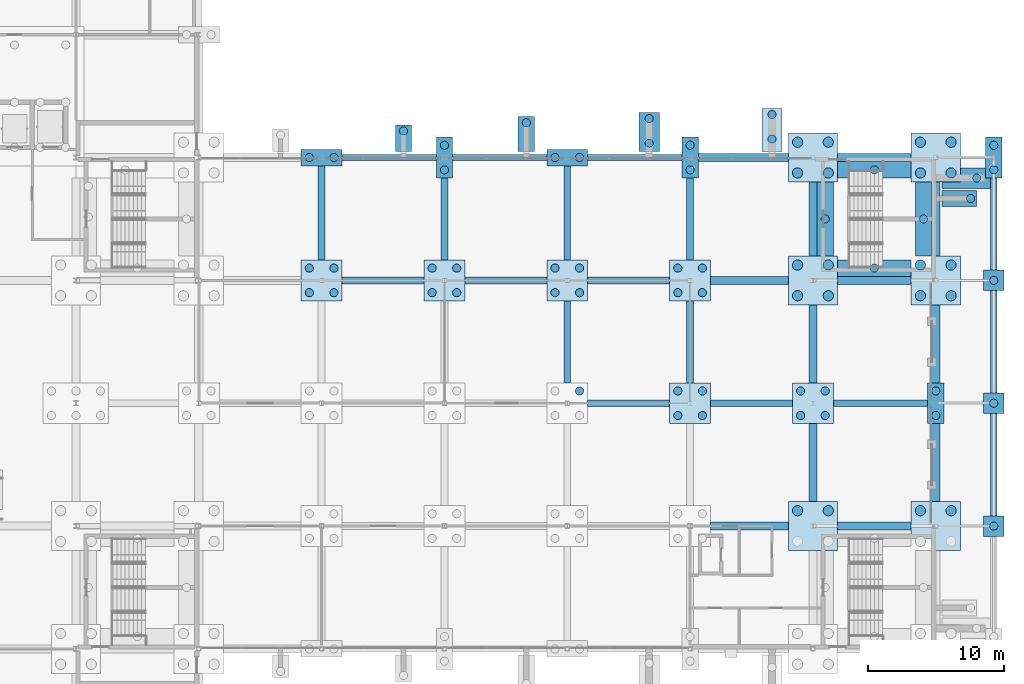
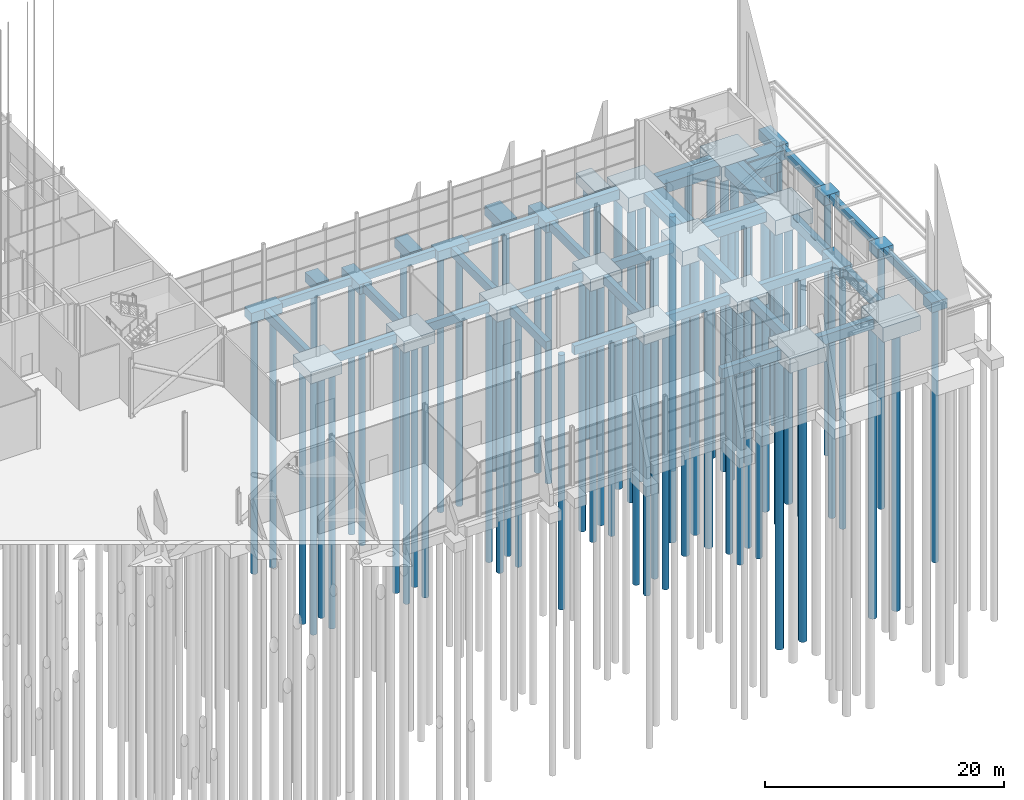
# One storey, part 10 of 139: 72 piles, 61 footings.
"""IFC4 building model written with IfcOpenShell, lengths in metres."""

import ifcopenshell
import ifcopenshell.guid

model = None  # the IFC model being written
_history = None  # IfcOwnerHistory: only IFC2X3 demands one
_inside = {}  # id of a spatial element -> (the spatial element, [elements in it])
_under = {}  # id of a project, library or spatial element -> (it, [spatial elements below it])
_declared = {}  # id of a project -> (the project, [libraries it declares])
_typed = {}  # id of a type object -> (the type object, [elements of that type])
_made_of = {}  # id of a material, layer set ... -> (it, [elements and type objects made of it])


def new_model(schema):
    """Start an empty IFC model of exactly this schema.

    Asked for "IFC4X3", IfcOpenShell would pick the latest addendum, in which some entities
    have other attributes; the version numbers below select the first issue.
    IFC2X3 requires an IfcOwnerHistory on every rooted entity: one is made here for all.
    """
    global model, _history
    if schema == "IFC4X3":
        model = ifcopenshell.file(schema_version=(4, 3, 0, 0))
    else:
        model = ifcopenshell.file(schema=schema)
    _inside.clear()
    _under.clear()
    _declared.clear()
    _typed.clear()
    _made_of.clear()
    _history = None
    if model.schema == "IFC2X3":
        org = make("IfcOrganization", Name="unknown")
        user = make(
            "IfcPersonAndOrganization",
            ThePerson=make("IfcPerson", FamilyName="unknown"),
            TheOrganization=org,
        )
        app = make(
            "IfcApplication",
            ApplicationDeveloper=org,
            Version="unknown",
            ApplicationFullName="unknown",
            ApplicationIdentifier="unknown",
        )
        _history = make(
            "IfcOwnerHistory",
            OwningUser=user,
            OwningApplication=app,
            ChangeAction="ADDED",
            CreationDate=0,
        )
    return model


def make(cls, **values):
    """One entity of the class cls with the attributes given. An attribute that is None is left unset."""
    return model.create_entity(
        cls, **{name: value for name, value in values.items() if value is not None}
    )


def rooted(cls, **values):
    """An entity with a GlobalId (a new one), such as an element, a storey or a relation."""
    return make(cls, GlobalId=ifcopenshell.guid.new(), OwnerHistory=_history, **values)


def si_unit(unit_type, name, prefix=None):
    """IfcSIUnit, for example si_unit("LENGTHUNIT", "METRE", prefix="MILLI")."""
    return make("IfcSIUnit", UnitType=unit_type, Prefix=prefix, Name=name)


def assignment(units):
    """IfcUnitAssignment: the units of a project."""
    return None if units is None else make("IfcUnitAssignment", Units=units)


def point(xyz):
    """IfcCartesianPoint."""
    return None if xyz is None else make("IfcCartesianPoint", Coordinates=xyz)


def direction(xyz):
    """IfcDirection."""
    return None if xyz is None else make("IfcDirection", DirectionRatios=xyz)


def frame(location, z_axis=None, x_axis=None):
    """IfcAxis2Placement3D, a coordinate frame: its origin and axes. An axis left out is left unset."""
    return make(
        "IfcAxis2Placement3D",
        Location=point(location),
        Axis=direction(z_axis),
        RefDirection=direction(x_axis),
    )


def frame_2d(location, x_axis=None):
    """IfcAxis2Placement2D, a coordinate frame in the plane: its origin and x axis."""
    return make(
        "IfcAxis2Placement2D", Location=point(location), RefDirection=direction(x_axis)
    )


def origin():
    """The frame at (0, 0, 0) with its axes left unset."""
    return frame((0.0, 0.0, 0.0))


def origin_2d():
    """The frame at (0, 0) in the plane with its x axis left unset."""
    return frame_2d((0.0, 0.0))


def place(relative_to, where):
    """IfcLocalPlacement: puts the frame where relative to a parent placement (None: the world)."""
    return make(
        "IfcLocalPlacement", PlacementRelTo=relative_to, RelativePlacement=where
    )


def context(
    kind, dimensions, precision=None, world=None, true_north=None, identifier=None
):
    """IfcGeometricRepresentationContext, for example the 3D "Model" context."""
    return make(
        "IfcGeometricRepresentationContext",
        ContextIdentifier=identifier,
        ContextType=kind,
        CoordinateSpaceDimension=dimensions,
        Precision=precision,
        WorldCoordinateSystem=world,
        TrueNorth=true_north,
    )


def subcontext(parent, identifier, kind, view, scale=None):
    """IfcGeometricRepresentationSubContext, for example "Body" below "Model"."""
    return make(
        "IfcGeometricRepresentationSubContext",
        ContextIdentifier=identifier,
        ContextType=kind,
        ParentContext=parent,
        TargetScale=scale,
        TargetView=view,
    )


def project(units=None, contexts=None):
    """IfcProject with its units and contexts."""
    return rooted(
        "IfcProject",
        Name="project",
        RepresentationContexts=contexts,
        UnitsInContext=assignment(units),
    )


def spatial(cls, under=None, at=None, **own):
    """A site, building, storey or space (cls), placed at a placement, below another one or the project."""
    s = rooted(cls, ObjectPlacement=at, **own)
    if under is not None:
        _under.setdefault(under.id(), (under, []))[1].append(s)
    return s


def polyline(points):
    """IfcPolyline through the points."""
    return make("IfcPolyline", Points=[point(p) for p in points])


def profile(cls, at=None, kind="AREA", **sizes):
    """A parametric profile (cls). Its sizes go by their IFC names, for example OverallWidth=200.0."""
    return make(cls, ProfileType=kind, Position=at, **sizes)


def rectangle(**sizes):
    """IfcRectangleProfileDef."""
    return profile("IfcRectangleProfileDef", **sizes)


def circle(**sizes):
    """IfcCircleProfileDef."""
    return profile("IfcCircleProfileDef", **sizes)


def outline(outer, holes=None, kind="AREA"):
    """IfcArbitraryClosedProfileDef: a profile drawn as a closed curve; with holes, ...WithVoids."""
    if holes is None:
        return make("IfcArbitraryClosedProfileDef", ProfileType=kind, OuterCurve=outer)
    return make(
        "IfcArbitraryProfileDefWithVoids",
        ProfileType=kind,
        OuterCurve=outer,
        InnerCurves=holes,
    )


def extrude(swept, where, along, depth):
    """IfcExtrudedAreaSolid: the profile swept, set in the frame where, extruded along a direction by depth."""
    return make(
        "IfcExtrudedAreaSolid",
        SweptArea=swept,
        Position=where,
        ExtrudedDirection=direction(along),
        Depth=depth,
    )


def shape(context_of_items, identifier, shape_type, items):
    """IfcShapeRepresentation: the items that make up one representation, for example the "Body"."""
    return make(
        "IfcShapeRepresentation",
        ContextOfItems=context_of_items,
        RepresentationIdentifier=identifier,
        RepresentationType=shape_type,
        Items=items,
    )


def material(Name=None, Category=None):
    """IfcMaterial."""
    return make("IfcMaterial", Name=Name, Category=Category)


def material_profile(
    of_material, cross_section, Name=None, Category=None, Priority=None
):
    """IfcMaterialProfile: a cross section and its material."""
    return make(
        "IfcMaterialProfile",
        Name=Name,
        Material=of_material,
        Profile=cross_section,
        Priority=Priority,
        Category=Category,
    )


def profile_set(profiles, Name=None, composite=None):
    """IfcMaterialProfileSet."""
    return make(
        "IfcMaterialProfileSet",
        Name=Name,
        MaterialProfiles=profiles,
        CompositeProfile=composite,
    )


def made_of(thing, what):
    """Note that an element or type object is made of a material, layer set ...; save() writes the relation."""
    if what is not None:
        _made_of.setdefault(what.id(), (what, []))[1].append(thing)
    return thing


def type_object(cls, material=None, **own):
    """A type object (cls), such as IfcWallType, which elements share."""
    return made_of(rooted(cls, **own), material)


def element(
    cls,
    number,
    at=None,
    inside=None,
    cuts=None,
    type_object=None,
    material=None,
    context=None,
    identifier="Body",
    shape_type=None,
    held_by="IfcProductDefinitionShape",
    body=None,
    shapes=None,
    **own,
):
    """One element of the class cls, such as IfcWall. Its Tag is "e" and its number.

    at: its placement. inside: the storey or other place that contains it. cuts: it is an
    opening in that element (IfcRelVoidsElement). A single representation is given by context,
    identifier, shape_type and body (its items); several are given by shapes. held_by: the class
    of the entity that holds the representations. save() writes the other relations.
    """
    e = rooted(cls, Tag="e%d" % number, ObjectPlacement=at, **own)
    if body is not None:
        shapes = [shape(context, identifier, shape_type, body)]
    if shapes is not None:
        e.Representation = make(held_by, Representations=shapes)
    if inside is not None:
        _inside.setdefault(inside.id(), (inside, []))[1].append(e)
    if cuts is not None:
        rooted(
            "IfcRelVoidsElement", RelatingBuildingElement=cuts, RelatedOpeningElement=e
        )
    if type_object is not None:
        _typed.setdefault(type_object.id(), (type_object, []))[1].append(e)
    return made_of(e, material)


def aggregate(whole, parts):
    """IfcRelAggregates: a whole, such as a stair, and the parts it consists of."""
    return rooted("IfcRelAggregates", RelatingObject=whole, RelatedObjects=parts)


def save(model, path):
    """Write the relations noted so far, then the file.

    IfcRelAggregates (storeys below a building ...), IfcRelContainedInSpatialStructure (elements
    in a storey), IfcRelDefinesByType, IfcRelAssociatesMaterial and IfcRelDeclares: one each for
    every whole, place, type object, material and project.
    """
    for whole, parts in _under.values():
        aggregate(whole, parts)
    for where, things in _inside.values():
        rooted(
            "IfcRelContainedInSpatialStructure",
            RelatedElements=things,
            RelatingStructure=where,
        )
    for kind, things in _typed.values():
        rooted("IfcRelDefinesByType", RelatedObjects=things, RelatingType=kind)
    for what, things in _made_of.values():
        rooted("IfcRelAssociatesMaterial", RelatedObjects=things, RelatingMaterial=what)
    for by, libraries in _declared.values():
        rooted("IfcRelDeclares", RelatingContext=by, RelatedDefinitions=libraries)
    model.write(path)


model = new_model("IFC4")

# Units and contexts
model_context = context("Model", 3, precision=1e-05, world=origin(), true_north=direction((0.0, 1.0)))
body_context = subcontext(model_context, "Body", "Model", "MODEL_VIEW")
ifc_project = project(units=[si_unit("LENGTHUNIT", "METRE"), si_unit("AREAUNIT", "SQUARE_METRE"), si_unit("VOLUMEUNIT", "CUBIC_METRE"), si_unit("PLANEANGLEUNIT", "RADIAN"), si_unit("MASSUNIT", "GRAM", prefix="KILO")], contexts=[model_context])

# Site, building, storey
site_placement = place(None, origin())
site = spatial("IfcSite", under=ifc_project, at=site_placement, CompositionType="ELEMENT")
building_placement = place(site_placement, origin())
building = spatial("IfcBuilding", under=site, at=building_placement, Name="Shorebreak Coast Museum", CompositionType="ELEMENT")
storey_placement = place(building_placement, origin())
storey = spatial("IfcBuildingStorey", under=building, at=storey_placement, Name="L00", CompositionType="ELEMENT", Elevation=0.0)

# Footings
ifc_material_1 = material(Name="Concrete N50 (50 MPa)", Category="concrete")
footing_type_1 = type_object("IfcFootingType", Name="Footing ground beam 450x800", PredefinedType="FOOTING_BEAM", material=ifc_material_1)
for number, where, z_axis, x_axis, name in (
    (1, (130.949951171875, 90.0, -1.10009765625), (0.0, 0.0, 1.0), (1.0, 0.0, 0.0), "Ground beam 15L to 16L"),
    (2, (139.050048828125, 90.0, -1.10009765625), (0.0, 0.0, 1.0), (1.0, 0.0, 0.0), "Ground beam 16L to 17L"),
    (3, (148.949951171875, 90.0, -1.10009765625), (0.0, 0.0, 1.0), (1.0, 0.0, 0.0), "Ground beam 17L to 18L"),
):
    element("IfcFooting", number, at=place(storey_placement, frame(where, z_axis=z_axis, x_axis=x_axis)), inside=storey, type_object=footing_type_1, Name=name, PredefinedType="FOOTING_BEAM", context=body_context, shape_type="SweptSolid", body=[
        extrude(rectangle(XDim=6.89990234375, YDim=0.449951171875, at=origin_2d()), origin(), (0.0, 0.0, 1.0), 0.800048828125),
    ])
for number, where, z_axis, x_axis, name in (
    (4, (175.25, 67.5, -1.10009765625), (0.0, 0.0, 1.0), (1.0, 0.0, 0.0), "Ground beam arcade east 2 to 3"),
    (5, (175.25, 76.5, -1.10009765625), (0.0, 0.0, 1.0), (1.0, 0.0, 0.0), "Ground beam arcade east 3 to 4"),
):
    element("IfcFooting", number, at=place(storey_placement, frame(where, z_axis=z_axis, x_axis=x_axis)), inside=storey, type_object=footing_type_1, Name=name, PredefinedType="FOOTING_BEAM", context=body_context, shape_type="SweptSolid", body=[
        extrude(rectangle(XDim=0.449951171875, YDim=7.5, at=origin_2d()), origin(), (0.0, 0.0, 1.0), 0.800048828125),
    ])
footing_1_placement = place(storey_placement, frame((175.25, 85.125, -1.10009765625), z_axis=(0.0, 0.0, 1.0), x_axis=(1.0, 0.0, 0.0)))
element("IfcFooting", 6, at=footing_1_placement, inside=storey, type_object=footing_type_1, Name="Ground beam arcade east 4 to 5", PredefinedType="FOOTING_BEAM", context=body_context, shape_type="SweptSolid", body=[
    extrude(rectangle(XDim=0.449951171875, YDim=6.75, at=origin_2d()), origin(), (0.0, 0.0, 1.0), 0.800048828125),
])
ifc_material_2 = material(Name="Concrete N50 (50 MPa)", Category="concrete")
footing_type_2 = type_object("IfcFootingType", Name="Footing ground beam 500x900", PredefinedType="FOOTING_BEAM", material=ifc_material_2)
footing_2_placement = place(storey_placement, frame((148.5, 72.0, -1.199951171875), z_axis=(0.0, 0.0, 1.0), x_axis=(1.0, 0.0, 0.0)))
element("IfcFooting", 7, at=footing_2_placement, inside=storey, type_object=footing_type_2, Name="Ground beam 17J to 18J", PredefinedType="FOOTING_BEAM", context=body_context, shape_type="SweptSolid", body=[
    extrude(rectangle(XDim=6.0, YDim=0.5, at=origin_2d()), origin(), (0.0, 0.0, 1.0), 0.89990234375),
])
footing_3_placement = place(storey_placement, frame((144.0, 76.5, -1.199951171875), z_axis=(0.0, 0.0, 1.0), x_axis=(1.0, 0.0, 0.0)))
element("IfcFooting", 8, at=footing_3_placement, inside=storey, type_object=footing_type_2, Name="Ground beam 17J to 17K", PredefinedType="FOOTING_BEAM", context=body_context, shape_type="SweptSolid", body=[
    extrude(rectangle(XDim=0.5, YDim=6.0, at=origin_2d()), origin(), (0.0, 0.0, 1.0), 0.89990234375),
])
footing_4_placement = place(storey_placement, frame((157.5, 72.0, -1.199951171875), z_axis=(0.0, 0.0, 1.0), x_axis=(1.0, 0.0, 0.0)))
element("IfcFooting", 9, at=footing_4_placement, inside=storey, type_object=footing_type_2, Name="Ground beam 18J to 19J", PredefinedType="FOOTING_BEAM", context=body_context, shape_type="SweptSolid", body=[
    extrude(rectangle(XDim=6.0, YDim=0.5, at=origin_2d()), origin(), (0.0, 0.0, 1.0), 0.89990234375),
])
footing_5_placement = place(storey_placement, frame((153.0, 76.5, -1.199951171875), z_axis=(0.0, 0.0, 1.0), x_axis=(1.0, 0.0, 0.0)))
element("IfcFooting", 10, at=footing_5_placement, inside=storey, type_object=footing_type_2, Name="Ground beam 18J to 18K", PredefinedType="FOOTING_BEAM", context=body_context, shape_type="SweptSolid", body=[
    extrude(rectangle(XDim=0.5, YDim=6.0, at=origin_2d()), origin(), (0.0, 0.0, 1.0), 0.89990234375),
])
footing_6_placement = place(storey_placement, frame((166.949951171875, 72.0, -1.199951171875), z_axis=(0.0, 0.0, 1.0), x_axis=(1.0, 0.0, 0.0)))
element("IfcFooting", 11, at=footing_6_placement, inside=storey, type_object=footing_type_2, Name="Ground beam 19J to 20J", PredefinedType="FOOTING_BEAM", context=body_context, shape_type="SweptSolid", body=[
    extrude(rectangle(XDim=6.89990234375, YDim=0.5, at=origin_2d()), origin(), (0.0, 0.0, 1.0), 0.89990234375),
])
footing_7_placement = place(storey_placement, frame((130.5, 81.0, -1.199951171875), z_axis=(0.0, 0.0, 1.0), x_axis=(1.0, 0.0, 0.0)))
element("IfcFooting", 12, at=footing_7_placement, inside=storey, type_object=footing_type_2, Name="Ground beam 15K to 16K", PredefinedType="FOOTING_BEAM", context=body_context, shape_type="SweptSolid", body=[
    extrude(rectangle(XDim=6.0, YDim=0.5, at=origin_2d()), origin(), (0.0, 0.0, 1.0), 0.89990234375),
])
footing_8_placement = place(storey_placement, frame((126.0, 85.949951171875, -1.199951171875), z_axis=(0.0, 0.0, 1.0), x_axis=(1.0, 0.0, 0.0)))
element("IfcFooting", 13, at=footing_8_placement, inside=storey, type_object=footing_type_2, Name="Ground beam 15K to 15L", PredefinedType="FOOTING_BEAM", context=body_context, shape_type="SweptSolid", body=[
    extrude(rectangle(XDim=0.5, YDim=6.89990234375, at=origin_2d()), origin(), (0.0, 0.0, 1.0), 0.89990234375),
])
footing_9_placement = place(storey_placement, frame((139.5, 81.0, -1.199951171875), z_axis=(0.0, 0.0, 1.0), x_axis=(1.0, 0.0, 0.0)))
element("IfcFooting", 14, at=footing_9_placement, inside=storey, type_object=footing_type_2, Name="Ground beam 16K to 17K", PredefinedType="FOOTING_BEAM", context=body_context, shape_type="SweptSolid", body=[
    extrude(rectangle(XDim=6.0, YDim=0.5, at=origin_2d()), origin(), (0.0, 0.0, 1.0), 0.89990234375),
])
footing_10_placement = place(storey_placement, frame((135.0, 85.5, -1.199951171875), z_axis=(0.0, 0.0, 1.0), x_axis=(1.0, 0.0, 0.0)))
element("IfcFooting", 15, at=footing_10_placement, inside=storey, type_object=footing_type_2, Name="Ground beam 16K to 16L", PredefinedType="FOOTING_BEAM", context=body_context, shape_type="SweptSolid", body=[
    extrude(rectangle(XDim=0.5, YDim=6.0, at=origin_2d()), origin(), (0.0, 0.0, 1.0), 0.89990234375),
])
footing_11_placement = place(storey_placement, frame((148.5, 81.0, -1.199951171875), z_axis=(0.0, 0.0, 1.0), x_axis=(1.0, 0.0, 0.0)))
element("IfcFooting", 16, at=footing_11_placement, inside=storey, type_object=footing_type_2, Name="Ground beam 17K to 18K", PredefinedType="FOOTING_BEAM", context=body_context, shape_type="SweptSolid", body=[
    extrude(rectangle(XDim=6.0, YDim=0.5, at=origin_2d()), origin(), (0.0, 0.0, 1.0), 0.89990234375),
])
footing_12_placement = place(storey_placement, frame((144.0, 85.949951171875, -1.199951171875), z_axis=(0.0, 0.0, 1.0), x_axis=(1.0, 0.0, 0.0)))
element("IfcFooting", 17, at=footing_12_placement, inside=storey, type_object=footing_type_2, Name="Ground beam 17K to 17L", PredefinedType="FOOTING_BEAM", context=body_context, shape_type="SweptSolid", body=[
    extrude(rectangle(XDim=0.5, YDim=6.89990234375, at=origin_2d()), origin(), (0.0, 0.0, 1.0), 0.89990234375),
])
footing_13_placement = place(storey_placement, frame((153.0, 85.5, -1.199951171875), z_axis=(0.0, 0.0, 1.0), x_axis=(1.0, 0.0, 0.0)))
element("IfcFooting", 18, at=footing_13_placement, inside=storey, type_object=footing_type_2, Name="Ground beam 18K to 18L", PredefinedType="FOOTING_BEAM", context=body_context, shape_type="SweptSolid", body=[
    extrude(rectangle(XDim=0.5, YDim=6.0, at=origin_2d()), origin(), (0.0, 0.0, 1.0), 0.89990234375),
])
ifc_material_3 = material(Name="Concrete N50 (50 MPa)", Category="concrete")
footing_type_3 = type_object("IfcFootingType", Name="Footing ground beam 600x1000", PredefinedType="FOOTING_BEAM", material=ifc_material_3)
footing_14_placement = place(storey_placement, frame((157.35009765625, 63.0, -1.300048828125), z_axis=(0.0, 0.0, 1.0), x_axis=(1.0, 0.0, 0.0)))
element("IfcFooting", 19, at=footing_14_placement, inside=storey, type_object=footing_type_3, Name="Ground beam 18H to 19H", PredefinedType="FOOTING_BEAM", context=body_context, shape_type="SweptSolid", body=[
    extrude(rectangle(XDim=5.699951171875, YDim=0.60009765625, at=origin_2d()), origin(), (0.0, 0.0, 1.0), 1.0),
])
footing_15_placement = place(storey_placement, frame((166.5, 63.0, -1.300048828125), z_axis=(0.0, 0.0, 1.0), x_axis=(1.0, 0.0, 0.0)))
element("IfcFooting", 20, at=footing_15_placement, inside=storey, type_object=footing_type_3, Name="Ground beam 19H to 20H", PredefinedType="FOOTING_BEAM", context=body_context, shape_type="SweptSolid", body=[
    extrude(rectangle(XDim=5.39990234375, YDim=0.60009765625, at=origin_2d()), origin(), (0.0, 0.0, 1.0), 1.0),
])
for number, where, z_axis, x_axis, name in (
    (21, (162.0, 67.64990234375, -1.300048828125), (0.0, 0.0, 1.0), (1.0, 0.0, 0.0), "Ground beam 19H to 19J"),
    (22, (171.0, 67.64990234375, -1.300048828125), (0.0, 0.0, 1.0), (1.0, 0.0, 0.0), "Ground beam 20H to 20J"),
    (23, (162.0, 76.35009765625, -1.300048828125), (0.0, 0.0, 1.0), (1.0, 0.0, 0.0), "Ground beam 19J to 19K"),
    (24, (171.0, 76.35009765625, -1.300048828125), (0.0, 0.0, 1.0), (1.0, 0.0, 0.0), "Ground beam 20J to 20K"),
):
    element("IfcFooting", number, at=place(storey_placement, frame(where, z_axis=z_axis, x_axis=x_axis)), inside=storey, type_object=footing_type_3, Name=name, PredefinedType="FOOTING_BEAM", context=body_context, shape_type="SweptSolid", body=[
        extrude(rectangle(XDim=0.60009765625, YDim=5.699951171875, at=origin_2d()), origin(), (0.0, 0.0, 1.0), 1.0),
    ])
footing_16_placement = place(storey_placement, frame((157.35009765625, 81.0, -1.300048828125), z_axis=(0.0, 0.0, 1.0), x_axis=(1.0, 0.0, 0.0)))
element("IfcFooting", 25, at=footing_16_placement, inside=storey, type_object=footing_type_3, Name="Ground beam 18K to 19K", PredefinedType="FOOTING_BEAM", context=body_context, shape_type="SweptSolid", body=[
    extrude(rectangle(XDim=5.699951171875, YDim=0.60009765625, at=origin_2d()), origin(), (0.0, 0.0, 1.0), 1.0),
])
footing_17_placement = place(storey_placement, frame((166.5, 81.0, -1.300048828125), z_axis=(0.0, 0.0, 1.0), x_axis=(1.0, 0.0, 0.0)))
element("IfcFooting", 26, at=footing_17_placement, inside=storey, type_object=footing_type_3, Name="Ground beam 19K to 20K", PredefinedType="FOOTING_BEAM", context=body_context, shape_type="SweptSolid", body=[
    extrude(rectangle(XDim=5.39990234375, YDim=0.60009765625, at=origin_2d()), origin(), (0.0, 0.0, 1.0), 1.0),
])
for number, where, z_axis, x_axis, name in (
    (27, (162.0, 85.5, -1.300048828125), (0.0, 0.0, 1.0), (1.0, 0.0, 0.0), "Ground beam 19K to 19L"),
    (28, (171.0, 85.5, -1.300048828125), (0.0, 0.0, 1.0), (1.0, 0.0, 0.0), "Ground beam 20K to 20L"),
):
    element("IfcFooting", number, at=place(storey_placement, frame(where, z_axis=z_axis, x_axis=x_axis)), inside=storey, type_object=footing_type_3, Name=name, PredefinedType="FOOTING_BEAM", context=body_context, shape_type="SweptSolid", body=[
        extrude(rectangle(XDim=0.60009765625, YDim=5.39990234375, at=origin_2d()), origin(), (0.0, 0.0, 1.0), 1.0),
    ])
footing_18_placement = place(storey_placement, frame((156.89990234375, 90.0, -1.300048828125), z_axis=(0.0, 0.0, 1.0), x_axis=(1.0, 0.0, 0.0)))
element("IfcFooting", 29, at=footing_18_placement, inside=storey, type_object=footing_type_3, Name="Ground beam 18L to 19L", PredefinedType="FOOTING_BEAM", context=body_context, shape_type="SweptSolid", body=[
    extrude(rectangle(XDim=6.60009765625, YDim=0.60009765625, at=origin_2d()), origin(), (0.0, 0.0, 1.0), 1.0),
])
footing_19_placement = place(storey_placement, frame((166.5, 90.0, -1.300048828125), z_axis=(0.0, 0.0, 1.0), x_axis=(1.0, 0.0, 0.0)))
element("IfcFooting", 30, at=footing_19_placement, inside=storey, type_object=footing_type_3, Name="Ground beam 19L to 20L", PredefinedType="FOOTING_BEAM", context=body_context, shape_type="SweptSolid", body=[
    extrude(rectangle(XDim=5.39990234375, YDim=0.60009765625, at=origin_2d()), origin(), (0.0, 0.0, 1.0), 1.0),
])
ifc_material_4 = material(Name="Concrete N50 (50 MPa)", Category="concrete")
footing_type_4 = type_object("IfcFootingType", Name="Footing pile cap 1200x3000x1000", PredefinedType="PILE_CAP", material=ifc_material_4)
for number, where, z_axis, x_axis, name in (
    (31, (171.0, 72.0, -1.300048828125), (0.0, 0.0, 1.0), (1.0, 0.0, 0.0), "Pile cap 20J"),
    (32, (135.0, 90.0, -1.300048828125), (0.0, 0.0, 1.0), (1.0, 0.0, 0.0), "Pile cap 16L"),
    (33, (153.0, 90.0, -1.300048828125), (0.0, 0.0, 1.0), (1.0, 0.0, 0.0), "Pile cap 18L"),
    (34, (175.25, 90.0, -1.300048828125), (0.0, 0.0, 1.0), (1.0, 0.0, 0.0), "Pile cap arcade east 5"),
):
    element("IfcFooting", number, at=place(storey_placement, frame(where, z_axis=z_axis, x_axis=x_axis)), inside=storey, type_object=footing_type_4, Name=name, PredefinedType="PILE_CAP", context=body_context, shape_type="SweptSolid", body=[
        extrude(rectangle(XDim=1.199951171875, YDim=3.0, at=origin_2d()), origin(), (0.0, 0.0, 1.0), 1.0),
    ])
ifc_material_5 = material(Name="Concrete N50 (50 MPa)", Category="concrete")
footing_type_5 = type_object("IfcFootingType", Name="Footing pile cap 1500x1500x1000", PredefinedType="PILE_CAP", material=ifc_material_5)
for number, where, z_axis, x_axis, name in (
    (35, (175.25, 63.0, -1.300048828125), (0.0, 0.0, 1.0), (1.0, 0.0, 0.0), "Pile cap arcade east 2"),
    (36, (175.25, 72.0, -1.300048828125), (0.0, 0.0, 1.0), (1.0, 0.0, 0.0), "Pile cap arcade east 3"),
    (37, (175.25, 81.0, -1.300048828125), (0.0, 0.0, 1.0), (1.0, 0.0, 0.0), "Pile cap arcade east 4"),
):
    element("IfcFooting", number, at=place(storey_placement, frame(where, z_axis=z_axis, x_axis=x_axis)), inside=storey, type_object=footing_type_5, Name=name, PredefinedType="PILE_CAP", context=body_context, shape_type="SweptSolid", body=[
        extrude(rectangle(XDim=1.5, YDim=1.5, at=origin_2d()), origin(), (0.0, 0.0, 1.0), 1.0),
    ])
ifc_material_6 = material(Name="Concrete N50 (50 MPa)", Category="concrete")
footing_type_6 = type_object("IfcFootingType", Name="Footing pile cap 3000x1200x1000", PredefinedType="PILE_CAP", material=ifc_material_6)
for number, where, z_axis, x_axis, name in (
    (38, (126.0, 90.0, -1.300048828125), (0.0, 0.0, 1.0), (1.0, 0.0, 0.0), "Pile cap 15L"),
    (39, (144.0, 90.0, -1.300048828125), (0.0, 0.0, 1.0), (1.0, 0.0, 0.0), "Pile cap 17L"),
):
    element("IfcFooting", number, at=place(storey_placement, frame(where, z_axis=z_axis, x_axis=x_axis)), inside=storey, type_object=footing_type_6, Name=name, PredefinedType="PILE_CAP", context=body_context, shape_type="SweptSolid", body=[
        extrude(rectangle(XDim=3.0, YDim=1.199951171875, at=origin_2d()), origin(), (0.0, 0.0, 1.0), 1.0),
    ])
ifc_material_7 = material(Name="Concrete N50 (50 MPa)", Category="concrete")
footing_type_7 = type_object("IfcFootingType", Name="Footing pile cap 3000x3000x1200", PredefinedType="PILE_CAP", material=ifc_material_7)
for number, where, z_axis, x_axis, name in (
    (40, (153.0, 72.0, -1.5), (0.0, 0.0, 1.0), (1.0, 0.0, 0.0), "Pile cap 18J"),
    (41, (162.0, 72.0, -1.5), (0.0, 0.0, 1.0), (1.0, 0.0, 0.0), "Pile cap 19J"),
    (42, (126.0, 81.0, -1.5), (0.0, 0.0, 1.0), (1.0, 0.0, 0.0), "Pile cap 15K"),
    (43, (135.0, 81.0, -1.5), (0.0, 0.0, 1.0), (1.0, 0.0, 0.0), "Pile cap 16K"),
    (44, (144.0, 81.0, -1.5), (0.0, 0.0, 1.0), (1.0, 0.0, 0.0), "Pile cap 17K"),
    (45, (153.0, 81.0, -1.5), (0.0, 0.0, 1.0), (1.0, 0.0, 0.0), "Pile cap 18K"),
):
    element("IfcFooting", number, at=place(storey_placement, frame(where, z_axis=z_axis, x_axis=x_axis)), inside=storey, type_object=footing_type_7, Name=name, PredefinedType="PILE_CAP", context=body_context, shape_type="SweptSolid", body=[
        extrude(rectangle(XDim=3.0, YDim=3.0, at=origin_2d()), origin(), (0.0, 0.0, 1.0), 1.199951171875),
    ])
ifc_material_8 = material(Name="Concrete N50 (50 MPa)", Category="concrete")
footing_type_8 = type_object("IfcFootingType", Name="Footing pile cap 3600x3600x1500", PredefinedType="PILE_CAP", material=ifc_material_8)
for number, where, z_axis, x_axis, name in (
    (46, (162.0, 63.0, -1.800048828125), (0.0, 0.0, 1.0), (1.0, 0.0, 0.0), "Pile cap 19H"),
    (47, (171.0, 63.0, -1.800048828125), (0.0, 0.0, 1.0), (1.0, 0.0, 0.0), "Pile cap 20H"),
    (48, (162.0, 81.0, -1.800048828125), (0.0, 0.0, 1.0), (1.0, 0.0, 0.0), "Pile cap 19K"),
    (49, (171.0, 81.0, -1.800048828125), (0.0, 0.0, 1.0), (1.0, 0.0, 0.0), "Pile cap 20K"),
    (50, (162.0, 90.0, -1.800048828125), (0.0, 0.0, 1.0), (1.0, 0.0, 0.0), "Pile cap 19L"),
    (51, (171.0, 90.0, -1.800048828125), (0.0, 0.0, 1.0), (1.0, 0.0, 0.0), "Pile cap 20L"),
):
    element("IfcFooting", number, at=place(storey_placement, frame(where, z_axis=z_axis, x_axis=x_axis)), inside=storey, type_object=footing_type_8, Name=name, PredefinedType="PILE_CAP", context=body_context, shape_type="SweptSolid", body=[
        extrude(rectangle(XDim=3.60009765625, YDim=3.60009765625, at=origin_2d()), origin(), (0.0, 0.0, 1.0), 1.5),
    ])
ifc_material_9 = material(Name="Concrete N50 (50 MPa)", Category="concrete")
footing_type_9 = type_object("IfcFootingType", Name="Footing strip footing 1200x1950x1000", PredefinedType="STRIP_FOOTING", material=ifc_material_9)
footing_20_placement = place(storey_placement, frame((132.0, 91.425048828125, -1.300048828125), z_axis=(0.0, 0.0, 1.0), x_axis=(1.0, 0.0, 0.0)))
element("IfcFooting", 52, at=footing_20_placement, inside=storey, type_object=footing_type_9, Name="Fin pad EN22", PredefinedType="STRIP_FOOTING", context=body_context, shape_type="SweptSolid", body=[
    extrude(rectangle(XDim=1.199951171875, YDim=1.949951171875, at=origin_2d()), origin(), (0.0, 0.0, 1.0), 1.0),
])
ifc_material_10 = material(Name="Concrete N50 (50 MPa)", Category="concrete")
footing_type_10 = type_object("IfcFootingType", Name="Footing strip footing 1200x2550x1000", PredefinedType="STRIP_FOOTING", material=ifc_material_10)
footing_21_placement = place(storey_placement, frame((141.0, 91.72509765625, -1.300048828125), z_axis=(0.0, 0.0, 1.0), x_axis=(1.0, 0.0, 0.0)))
element("IfcFooting", 53, at=footing_21_placement, inside=storey, type_object=footing_type_10, Name="Fin pad EN21", PredefinedType="STRIP_FOOTING", context=body_context, shape_type="SweptSolid", body=[
    extrude(rectangle(XDim=1.199951171875, YDim=2.550048828125, at=origin_2d()), origin(), (0.0, 0.0, 1.0), 1.0),
])
ifc_material_11 = material(Name="Concrete N50 (50 MPa)", Category="concrete")
footing_type_11 = type_object("IfcFootingType", Name="Footing strip footing 1200x5400x1000", PredefinedType="STRIP_FOOTING", material=ifc_material_11)
for number, where, z_axis, x_axis, name in (
    (54, (162.89990234375, 85.5, -1.300048828125), (0.0, 0.0, 1.0), (1.0, 0.0, 0.0), "Core wall strip footing ST08 west side"),
    (55, (170.10009765625, 85.5, -1.300048828125), (0.0, 0.0, 1.0), (1.0, 0.0, 0.0), "Core wall strip footing ST08 east side"),
):
    element("IfcFooting", number, at=place(storey_placement, frame(where, z_axis=z_axis, x_axis=x_axis)), inside=storey, type_object=footing_type_11, Name=name, PredefinedType="STRIP_FOOTING", context=body_context, shape_type="SweptSolid", body=[
        extrude(rectangle(XDim=1.199951171875, YDim=5.39990234375, at=origin_2d()), origin(), (0.0, 0.0, 1.0), 1.0),
    ])
ifc_material_12 = material(Name="Concrete N50 (50 MPa)", Category="concrete")
footing_type_12 = type_object("IfcFootingType", Name="Footing strip footing 1500x2850x1000", PredefinedType="STRIP_FOOTING", material=ifc_material_12)
footing_22_placement = place(storey_placement, frame((150.0, 91.875, -1.300048828125), z_axis=(0.0, 0.0, 1.0), x_axis=(1.0, 0.0, 0.0)))
element("IfcFooting", 56, at=footing_22_placement, inside=storey, type_object=footing_type_12, Name="Fin pad EN20", PredefinedType="STRIP_FOOTING", context=body_context, shape_type="SweptSolid", body=[
    extrude(rectangle(XDim=1.5, YDim=2.85009765625, at=origin_2d()), origin(), (0.0, 0.0, 1.0), 1.0),
])
ifc_material_13 = material(Name="Concrete N50 (50 MPa)", Category="concrete")
footing_type_13 = type_object("IfcFootingType", Name="Footing strip footing 1500x3150x1000", PredefinedType="STRIP_FOOTING", material=ifc_material_13)
footing_23_placement = place(storey_placement, frame((159.0, 92.02490234375, -1.300048828125), z_axis=(0.0, 0.0, 1.0), x_axis=(1.0, 0.0, 0.0)))
element("IfcFooting", 57, at=footing_23_placement, inside=storey, type_object=footing_type_13, Name="Fin pad EN19", PredefinedType="STRIP_FOOTING", context=body_context, shape_type="SweptSolid", body=[
    extrude(rectangle(XDim=1.5, YDim=3.14990234375, at=origin_2d()), origin(), (0.0, 0.0, 1.0), 1.0),
])
ifc_material_14 = material(Name="Concrete N50 (50 MPa)", Category="concrete")
footing_type_14 = type_object("IfcFootingType", Name="Footing strip footing 2550x1200x1000", PredefinedType="STRIP_FOOTING", material=ifc_material_14)
footing_24_placement = place(storey_placement, frame((172.72509765625, 87.0, -1.300048828125), z_axis=(0.0, 0.0, 1.0), x_axis=(1.0, 0.0, 0.0)))
element("IfcFooting", 58, at=footing_24_placement, inside=storey, type_object=footing_type_14, Name="Fin pad E07", PredefinedType="STRIP_FOOTING", context=body_context, shape_type="SweptSolid", body=[
    extrude(rectangle(XDim=2.550048828125, YDim=1.199951171875, at=origin_2d()), origin(), (0.0, 0.0, 1.0), 1.0),
])
ifc_material_15 = material(Name="Concrete N50 (50 MPa)", Category="concrete")
footing_type_15 = type_object("IfcFootingType", Name="Footing strip footing 3750x1500x1000 notched", PredefinedType="STRIP_FOOTING", material=ifc_material_15)
footing_25_placement = place(storey_placement, frame((0.0, 0.0, -1.300048828125)))
element("IfcFooting", 59, at=footing_25_placement, inside=storey, type_object=footing_type_15, Name="Fin pad E08", PredefinedType="STRIP_FOOTING", context=body_context, shape_type="SweptSolid", body=[
    extrude(outline(polyline([(175.199951171875, 89.25), (175.199951171875, 87.75), (171.449951171875, 87.75), (171.449951171875, 88.199951171875), (172.800048828125, 88.199951171875), (172.800048828125, 89.25), (175.199951171875, 89.25)])), origin(), (0.0, 0.0, 1.0), 1.0),
])
ifc_material_16 = material(Name="Concrete N50 (50 MPa)", Category="concrete")
footing_type_16 = type_object("IfcFootingType", Name="Footing strip footing 5400x1200x1000", PredefinedType="STRIP_FOOTING", material=ifc_material_16)
for number, where, z_axis, x_axis, name in (
    (60, (166.5, 81.89990234375, -1.300048828125), (0.0, 0.0, 1.0), (1.0, 0.0, 0.0), "Core wall strip footing ST08 south side"),
    (61, (166.5, 89.10009765625, -1.300048828125), (0.0, 0.0, 1.0), (1.0, 0.0, 0.0), "Core wall strip footing ST08 north side"),
):
    element("IfcFooting", number, at=place(storey_placement, frame(where, z_axis=z_axis, x_axis=x_axis)), inside=storey, type_object=footing_type_16, Name=name, PredefinedType="STRIP_FOOTING", context=body_context, shape_type="SweptSolid", body=[
        extrude(rectangle(XDim=5.39990234375, YDim=1.199951171875, at=origin_2d()), origin(), (0.0, 0.0, 1.0), 1.0),
    ])

# Piles
ifc_material_17 = material(Name="Concrete N50 (50 MPa)", Category="concrete")
ifc_material_profile_1 = material_profile(ifc_material_17, circle(Radius=0.300048828125, at=origin_2d()), Name="Pile bored 600 length 26")
ifc_profile_set_1 = profile_set([ifc_material_profile_1], Name="Concrete N50 (50 MPa)")
pile_type_1 = type_object("IfcPileType", Name="Pile bored 600 length 26", PredefinedType="BORED", material=ifc_profile_set_1)
for number, where, z_axis, x_axis, name in (
    (62, (144.89990234375, 72.89990234375, -1.5), (0.0, 0.0, -1.0), (1.0, 0.0, 0.0), "Bored pile Pile cap 17J 4"),
    (63, (152.10009765625, 71.10009765625, -1.5), (0.0, 0.0, -1.0), (1.0, 0.0, 0.0), "Bored pile Pile cap 18J 1"),
    (64, (153.89990234375, 71.10009765625, -1.5), (0.0, 0.0, -1.0), (1.0, 0.0, 0.0), "Bored pile Pile cap 18J 2"),
    (65, (152.10009765625, 72.89990234375, -1.5), (0.0, 0.0, -1.0), (1.0, 0.0, 0.0), "Bored pile Pile cap 18J 3"),
    (66, (153.89990234375, 72.89990234375, -1.5), (0.0, 0.0, -1.0), (1.0, 0.0, 0.0), "Bored pile Pile cap 18J 4"),
    (67, (161.10009765625, 71.10009765625, -1.5), (0.0, 0.0, -1.0), (1.0, 0.0, 0.0), "Bored pile Pile cap 19J 1"),
    (68, (162.89990234375, 71.10009765625, -1.5), (0.0, 0.0, -1.0), (1.0, 0.0, 0.0), "Bored pile Pile cap 19J 2"),
    (69, (161.10009765625, 72.89990234375, -1.5), (0.0, 0.0, -1.0), (1.0, 0.0, 0.0), "Bored pile Pile cap 19J 3"),
    (70, (162.89990234375, 72.89990234375, -1.5), (0.0, 0.0, -1.0), (1.0, 0.0, 0.0), "Bored pile Pile cap 19J 4"),
    (71, (171.0, 71.10009765625, -1.300048828125), (0.0, 0.0, -1.0), (1.0, 0.0, 0.0), "Bored pile Pile cap 20J 1"),
    (72, (171.0, 72.89990234375, -1.300048828125), (0.0, 0.0, -1.0), (1.0, 0.0, 0.0), "Bored pile Pile cap 20J 2"),
    (73, (125.10009765625, 80.10009765625, -1.5), (0.0, 0.0, -1.0), (1.0, 0.0, 0.0), "Bored pile Pile cap 15K 1"),
    (74, (126.89990234375, 80.10009765625, -1.5), (0.0, 0.0, -1.0), (1.0, 0.0, 0.0), "Bored pile Pile cap 15K 2"),
    (75, (125.10009765625, 81.89990234375, -1.5), (0.0, 0.0, -1.0), (1.0, 0.0, 0.0), "Bored pile Pile cap 15K 3"),
    (76, (126.89990234375, 81.89990234375, -1.5), (0.0, 0.0, -1.0), (1.0, 0.0, 0.0), "Bored pile Pile cap 15K 4"),
    (77, (134.10009765625, 80.10009765625, -1.5), (0.0, 0.0, -1.0), (1.0, 0.0, 0.0), "Bored pile Pile cap 16K 1"),
    (78, (135.89990234375, 80.10009765625, -1.5), (0.0, 0.0, -1.0), (1.0, 0.0, 0.0), "Bored pile Pile cap 16K 2"),
    (79, (134.10009765625, 81.89990234375, -1.5), (0.0, 0.0, -1.0), (1.0, 0.0, 0.0), "Bored pile Pile cap 16K 3"),
    (80, (135.89990234375, 81.89990234375, -1.5), (0.0, 0.0, -1.0), (1.0, 0.0, 0.0), "Bored pile Pile cap 16K 4"),
    (81, (143.10009765625, 80.10009765625, -1.5), (0.0, 0.0, -1.0), (1.0, 0.0, 0.0), "Bored pile Pile cap 17K 1"),
    (82, (144.89990234375, 80.10009765625, -1.5), (0.0, 0.0, -1.0), (1.0, 0.0, 0.0), "Bored pile Pile cap 17K 2"),
    (83, (143.10009765625, 81.89990234375, -1.5), (0.0, 0.0, -1.0), (1.0, 0.0, 0.0), "Bored pile Pile cap 17K 3"),
    (84, (144.89990234375, 81.89990234375, -1.5), (0.0, 0.0, -1.0), (1.0, 0.0, 0.0), "Bored pile Pile cap 17K 4"),
    (85, (152.10009765625, 80.10009765625, -1.5), (0.0, 0.0, -1.0), (1.0, 0.0, 0.0), "Bored pile Pile cap 18K 1"),
    (86, (153.89990234375, 80.10009765625, -1.5), (0.0, 0.0, -1.0), (1.0, 0.0, 0.0), "Bored pile Pile cap 18K 2"),
    (87, (152.10009765625, 81.89990234375, -1.5), (0.0, 0.0, -1.0), (1.0, 0.0, 0.0), "Bored pile Pile cap 18K 3"),
    (88, (153.89990234375, 81.89990234375, -1.5), (0.0, 0.0, -1.0), (1.0, 0.0, 0.0), "Bored pile Pile cap 18K 4"),
    (89, (125.10009765625, 90.0, -1.300048828125), (0.0, 0.0, -1.0), (1.0, 0.0, 0.0), "Bored pile Pile cap 15L 1"),
    (90, (126.89990234375, 90.0, -1.300048828125), (0.0, 0.0, -1.0), (1.0, 0.0, 0.0), "Bored pile Pile cap 15L 2"),
    (91, (135.0, 89.10009765625, -1.300048828125), (0.0, 0.0, -1.0), (1.0, 0.0, 0.0), "Bored pile Pile cap 16L 1"),
    (92, (135.0, 90.89990234375, -1.300048828125), (0.0, 0.0, -1.0), (1.0, 0.0, 0.0), "Bored pile Pile cap 16L 2"),
    (93, (143.10009765625, 90.0, -1.300048828125), (0.0, 0.0, -1.0), (1.0, 0.0, 0.0), "Bored pile Pile cap 17L 1"),
    (94, (144.89990234375, 90.0, -1.300048828125), (0.0, 0.0, -1.0), (1.0, 0.0, 0.0), "Bored pile Pile cap 17L 2"),
    (95, (153.0, 89.10009765625, -1.300048828125), (0.0, 0.0, -1.0), (1.0, 0.0, 0.0), "Bored pile Pile cap 18L 1"),
    (96, (153.0, 90.89990234375, -1.300048828125), (0.0, 0.0, -1.0), (1.0, 0.0, 0.0), "Bored pile Pile cap 18L 2"),
    (97, (166.5, 81.89990234375, -1.300048828125), (0.0, 0.0, -1.0), (1.0, 0.0, 0.0), "Bored pile Core wall strip footing ST08 south side 1"),
    (98, (166.5, 89.10009765625, -1.300048828125), (0.0, 0.0, -1.0), (1.0, 0.0, 0.0), "Bored pile Core wall strip footing ST08 north side 1"),
    (99, (162.89990234375, 85.5, -1.300048828125), (0.0, 0.0, -1.0), (1.0, 0.0, 0.0), "Bored pile Core wall strip footing ST08 west side 1"),
    (100, (170.10009765625, 85.5, -1.300048828125), (0.0, 0.0, -1.0), (1.0, 0.0, 0.0), "Bored pile Core wall strip footing ST08 east side 1"),
    (101, (173.550048828125, 87.0, -1.300048828125), (0.0, 0.0, -1.0), (1.0, 0.0, 0.0), "Bored pile Fin pad E07 1"),
    (102, (174.0, 88.5, -1.300048828125), (0.0, 0.0, -1.0), (1.0, 0.0, 0.0), "Bored pile Fin pad E08 1"),
    (103, (159.0, 93.14990234375, -1.300048828125), (0.0, 0.0, -1.0), (1.0, 0.0, 0.0), "Bored pile Fin pad EN19 1"),
    (104, (159.0, 91.35009765625, -1.300048828125), (0.0, 0.0, -1.0), (1.0, 0.0, 0.0), "Bored pile Fin pad EN19 2"),
    (105, (150.0, 92.85009765625, -1.300048828125), (0.0, 0.0, -1.0), (1.0, 0.0, 0.0), "Bored pile Fin pad EN20 1"),
    (106, (150.0, 91.050048828125, -1.300048828125), (0.0, 0.0, -1.0), (1.0, 0.0, 0.0), "Bored pile Fin pad EN20 2"),
    (107, (141.0, 92.550048828125, -1.300048828125), (0.0, 0.0, -1.0), (1.0, 0.0, 0.0), "Bored pile Fin pad EN21 1"),
    (108, (132.0, 91.949951171875, -1.300048828125), (0.0, 0.0, -1.0), (1.0, 0.0, 0.0), "Bored pile Fin pad EN22 1"),
    (109, (175.25, 63.0, -1.300048828125), (0.0, 0.0, -1.0), (1.0, 0.0, 0.0), "Bored pile arcade east 2 1"),
    (110, (175.25, 72.0, -1.300048828125), (0.0, 0.0, -1.0), (1.0, 0.0, 0.0), "Bored pile arcade east 3 1"),
    (111, (175.25, 81.0, -1.300048828125), (0.0, 0.0, -1.0), (1.0, 0.0, 0.0), "Bored pile arcade east 4 1"),
    (112, (175.25, 89.10009765625, -1.300048828125), (0.0, 0.0, -1.0), (1.0, 0.0, 0.0), "Bored pile arcade east 5 1"),
    (113, (175.25, 90.89990234375, -1.300048828125), (0.0, 0.0, -1.0), (1.0, 0.0, 0.0), "Bored pile arcade east 5 2"),
):
    element("IfcPile", number, at=place(storey_placement, frame(where, z_axis=z_axis, x_axis=x_axis)), inside=storey, type_object=pile_type_1, Name=name, PredefinedType="BORED", context=body_context, shape_type="SweptSolid", body=[
        extrude(circle(Radius=0.300048828125, at=origin_2d()), origin(), (0.0, 0.0, 1.0), 26.0),
    ])
ifc_material_18 = material(Name="Concrete N50 (50 MPa)", Category="concrete")
ifc_material_profile_2 = material_profile(ifc_material_18, circle(Radius=0.375, at=origin_2d()), Name="Pile bored 750 length 30")
ifc_profile_set_2 = profile_set([ifc_material_profile_2], Name="Concrete N50 (50 MPa)")
pile_type_2 = type_object("IfcPileType", Name="Pile bored 750 length 30", PredefinedType="BORED", material=ifc_profile_set_2)
for number, where, z_axis, x_axis, name in (
    (114, (160.875, 64.125, -1.800048828125), (0.0, 0.0, -1.0), (1.0, 0.0, 0.0), "Bored pile Pile cap 19H 3"),
    (115, (163.125, 64.125, -1.800048828125), (0.0, 0.0, -1.0), (1.0, 0.0, 0.0), "Bored pile Pile cap 19H 4"),
    (116, (169.875, 64.125, -1.800048828125), (0.0, 0.0, -1.0), (1.0, 0.0, 0.0), "Bored pile Pile cap 20H 3"),
    (117, (172.125, 64.125, -1.800048828125), (0.0, 0.0, -1.0), (1.0, 0.0, 0.0), "Bored pile Pile cap 20H 4"),
    (118, (160.875, 79.875, -1.800048828125), (0.0, 0.0, -1.0), (1.0, 0.0, 0.0), "Bored pile Pile cap 19K 1"),
    (119, (163.125, 79.875, -1.800048828125), (0.0, 0.0, -1.0), (1.0, 0.0, 0.0), "Bored pile Pile cap 19K 2"),
    (120, (160.875, 82.125, -1.800048828125), (0.0, 0.0, -1.0), (1.0, 0.0, 0.0), "Bored pile Pile cap 19K 3"),
    (121, (163.125, 82.125, -1.800048828125), (0.0, 0.0, -1.0), (1.0, 0.0, 0.0), "Bored pile Pile cap 19K 4"),
    (122, (169.875, 79.875, -1.800048828125), (0.0, 0.0, -1.0), (1.0, 0.0, 0.0), "Bored pile Pile cap 20K 1"),
    (123, (172.125, 79.875, -1.800048828125), (0.0, 0.0, -1.0), (1.0, 0.0, 0.0), "Bored pile Pile cap 20K 2"),
    (124, (169.875, 82.125, -1.800048828125), (0.0, 0.0, -1.0), (1.0, 0.0, 0.0), "Bored pile Pile cap 20K 3"),
    (125, (172.125, 82.125, -1.800048828125), (0.0, 0.0, -1.0), (1.0, 0.0, 0.0), "Bored pile Pile cap 20K 4"),
    (126, (160.875, 88.875, -1.800048828125), (0.0, 0.0, -1.0), (1.0, 0.0, 0.0), "Bored pile Pile cap 19L 1"),
    (127, (163.125, 88.875, -1.800048828125), (0.0, 0.0, -1.0), (1.0, 0.0, 0.0), "Bored pile Pile cap 19L 2"),
    (128, (160.875, 91.125, -1.800048828125), (0.0, 0.0, -1.0), (1.0, 0.0, 0.0), "Bored pile Pile cap 19L 3"),
    (129, (163.125, 91.125, -1.800048828125), (0.0, 0.0, -1.0), (1.0, 0.0, 0.0), "Bored pile Pile cap 19L 4"),
    (130, (169.875, 88.875, -1.800048828125), (0.0, 0.0, -1.0), (1.0, 0.0, 0.0), "Bored pile Pile cap 20L 1"),
    (131, (172.125, 88.875, -1.800048828125), (0.0, 0.0, -1.0), (1.0, 0.0, 0.0), "Bored pile Pile cap 20L 2"),
    (132, (169.875, 91.125, -1.800048828125), (0.0, 0.0, -1.0), (1.0, 0.0, 0.0), "Bored pile Pile cap 20L 3"),
    (133, (172.125, 91.125, -1.800048828125), (0.0, 0.0, -1.0), (1.0, 0.0, 0.0), "Bored pile Pile cap 20L 4"),
):
    element("IfcPile", number, at=place(storey_placement, frame(where, z_axis=z_axis, x_axis=x_axis)), inside=storey, type_object=pile_type_2, Name=name, PredefinedType="BORED", context=body_context, shape_type="SweptSolid", body=[
        extrude(circle(Radius=0.375, at=origin_2d()), origin(), (0.0, 0.0, 1.0), 30.0),
    ])

save(model, "model.ifc")
